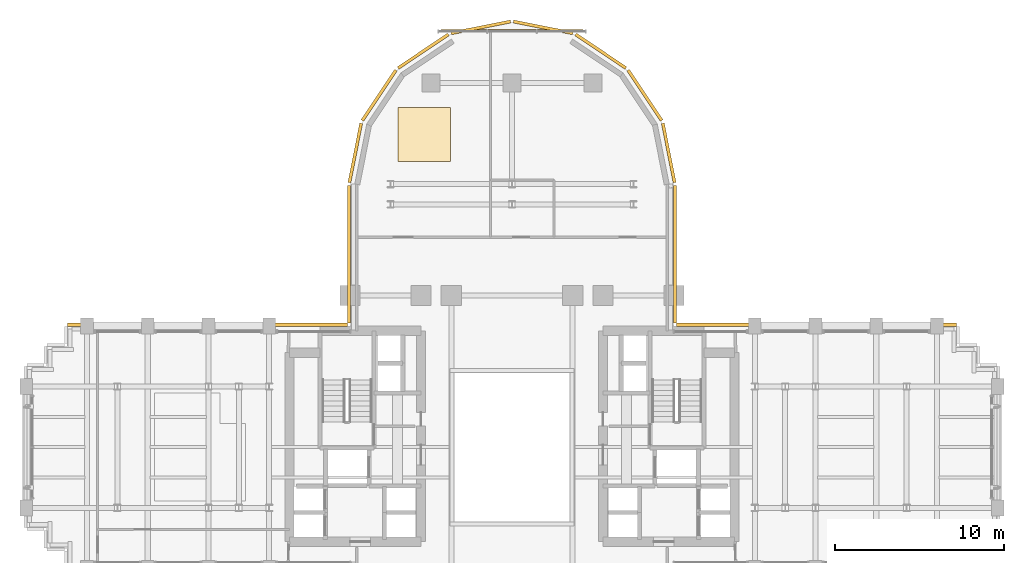
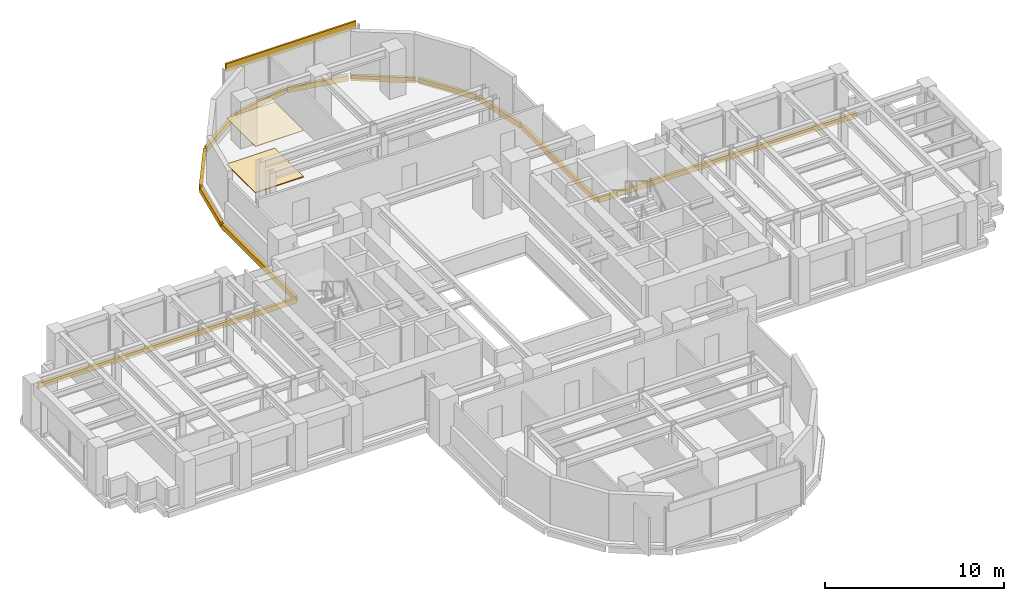
# One storey, part 16 of 16: 15 coverings.
"""IFC4 building model written with IfcOpenShell, lengths in metres."""

from ifc_helpers import new_model, si_unit, direction, frame, origin, origin_2d, place, context, subcontext, project, spatial, rectangle, extrude, source, transform, mapped, material, layer, layer_set, type_object, element, save


model = new_model("IFC4")

# Units and contexts
model_context = context("Model", 3, precision=1e-05, world=origin(), true_north=direction((0.0, 1.0)))
body_context = subcontext(model_context, "Body", "Model", "MODEL_VIEW")
ifc_project = project(units=[si_unit("LENGTHUNIT", "METRE"), si_unit("AREAUNIT", "SQUARE_METRE"), si_unit("VOLUMEUNIT", "CUBIC_METRE"), si_unit("PLANEANGLEUNIT", "RADIAN"), si_unit("MASSUNIT", "GRAM", prefix="KILO")], contexts=[model_context])

# Site, building, storey
site_placement = place(None, origin())
site = spatial("IfcSite", under=ifc_project, at=site_placement, CompositionType="ELEMENT")
building_placement = place(site_placement, origin())
building = spatial("IfcBuilding", under=site, at=building_placement, Name="Keilestroom Media Tower", CompositionType="ELEMENT")
storey_placement = place(building_placement, frame((0.0, 0.0, 71.39990234375)))
storey = spatial("IfcBuildingStorey", under=building, at=storey_placement, Name="L18", CompositionType="ELEMENT", Elevation=71.39990234375)

# Coverings
ifc_material_1 = material(Name="Precast concrete C40/50", Category="concrete")
ifc_layer_1 = layer(ifc_material_1, 0.1201171875)
ifc_layer_set_1 = layer_set([ifc_layer_1], Name="Precast concrete C40/50")
covering_type_1 = type_object("IfcCoveringType", Name="Exterior-Precast-Spandrel-Cladding-Panel-120", PredefinedType="CLADDING", material=ifc_layer_set_1)
shared_shape_1 = source(origin(), body_context, "Body", "SweptSolid", [
    extrude(rectangle(XDim=8.39990234375, YDim=0.1201171875, at=origin_2d()), origin(), (0.0, 0.0, 1.0), 0.52001953125),
])
covering_1_placement = place(storey_placement, frame((0.0, 24.719970703125, 2.690185546875), z_axis=(0.0, 0.0, 1.0), x_axis=(1.0, 0.0, 0.0)))
element("IfcCovering", 1, at=covering_1_placement, inside=storey, type_object=covering_type_1, Name="L18 Precast Spandrel Cladding N", PredefinedType="CLADDING", context=body_context, shape_type="MappedRepresentation", body=[
    mapped(shared_shape_1, transform((0.0, 0.0, 0.0), x_axis=(1.0, 0.0, 0.0), y_axis=(0.0, 1.0, 0.0), z_axis=(0.0, 0.0, 1.0), scale=1.0)),
])
shared_shape_2 = source(origin(), body_context, "Body", "SweptSolid", [
    extrude(rectangle(XDim=16.6201171875, YDim=0.179931640625, at=origin_2d()), origin(), (0.0, 0.0, 1.0), 0.360107421875),
])
for number, where, z_axis, x_axis, name in (
    (2, (-18.06005859375, 7.260009765625, -0.5400390625), (0.0, 0.0, 1.0), (1.0, 0.0, 0.0), "L18 Precast Slab-Edge Fascia Cornice 26"),
    (3, (18.06005859375, 7.260009765625, -0.5400390625), (0.0, 0.0, 1.0), (1.0, 0.0, 0.0), "L18 Precast Slab-Edge Fascia Cornice 37"),
):
    element("IfcCovering", number, at=place(storey_placement, frame(where, z_axis=z_axis, x_axis=x_axis)), inside=storey, type_object=covering_type_1, Name=name, PredefinedType="CLADDING", context=body_context, shape_type="MappedRepresentation", body=[
        mapped(shared_shape_2, transform((0.0, 0.0, 0.0), x_axis=(1.0, 0.0, 0.0), y_axis=(0.0, 1.0, 0.0), z_axis=(0.0, 0.0, 1.0), scale=1.0)),
    ])
shared_shape_3 = source(origin(), body_context, "Body", "SweptSolid", [
    extrude(rectangle(XDim=8.166015625, YDim=0.179931640625, at=origin_2d()), origin(), (0.0, 0.0, 1.0), 0.360107421875),
])
for number, where, z_axis, x_axis, name in (
    (4, (-9.659912109375, 11.43310546875, -0.5400390625), (0.0, 0.0, 1.0), (0.0, 1.0, 0.0), "L18 Precast Slab-Edge Fascia Cornice 27"),
    (5, (9.659912109375, 11.43310546875, -0.5400390625), (0.0, 0.0, 1.0), (0.0, -1.0, 0.0), "L18 Precast Slab-Edge Fascia Cornice 36"),
):
    element("IfcCovering", number, at=place(storey_placement, frame(where, z_axis=z_axis, x_axis=x_axis)), inside=storey, type_object=covering_type_1, Name=name, PredefinedType="CLADDING", context=body_context, shape_type="MappedRepresentation", body=[
        mapped(shared_shape_3, transform((0.0, 0.0, 0.0), x_axis=(1.0, 0.0, 0.0), y_axis=(0.0, 1.0, 0.0), z_axis=(0.0, 0.0, 1.0), scale=1.0)),
    ])
shared_shape_4 = source(origin(), body_context, "Body", "SweptSolid", [
    extrude(rectangle(XDim=3.58349609375, YDim=0.179931640625, at=origin_2d()), origin(), (0.0, 0.0, 1.0), 0.360107421875),
])
for number, where, z_axis, x_axis, name in (
    (6, (-9.29296875, 17.45166015625, -0.5400390625), (0.0, 0.0, 1.0), (0.195098880975, 0.980783577882, 0.0), "L18 Precast Slab-Edge Fascia Cornice 28"),
    (7, (9.29296875, 17.45166015625, -0.5400390625), (0.0, 0.0, 1.0), (0.195098880975, -0.980783577882, 0.0), "L18 Precast Slab-Edge Fascia Cornice 35"),
):
    element("IfcCovering", number, at=place(storey_placement, frame(where, z_axis=z_axis, x_axis=x_axis)), inside=storey, type_object=covering_type_1, Name=name, PredefinedType="CLADDING", context=body_context, shape_type="MappedRepresentation", body=[
        mapped(shared_shape_4, transform((0.0, 0.0, 0.0), x_axis=(1.0, 0.0, 0.0), y_axis=(0.0, 1.0, 0.0), z_axis=(0.0, 0.0, 1.0), scale=1.0)),
    ])
shared_shape_5 = source(origin(), body_context, "Body", "SweptSolid", [
    extrude(rectangle(XDim=3.589599609375, YDim=0.179931640625, at=origin_2d()), origin(), (0.0, 0.0, 1.0), 0.360107421875),
])
for number, where, z_axis, x_axis, name in (
    (8, (-7.878662109375, 20.8642578125, -0.5400390625), (0.0, 0.0, 1.0), (0.555574586577, 0.831466703332, 0.0), "L18 Precast Slab-Edge Fascia Cornice 29"),
    (9, (-5.264404296875, 23.478515625, -0.5400390625), (0.0, 0.0, 1.0), (0.831466703332, 0.555574586577, 0.0), "L18 Precast Slab-Edge Fascia Cornice 30"),
    (10, (-1.8486328125, 24.893310546875, -0.5400390625), (0.0, 0.0, 1.0), (0.980783577882, 0.195098880975, 0.0), "L18 Precast Slab-Edge Fascia Cornice 31"),
    (11, (1.8486328125, 24.893310546875, -0.5400390625), (0.0, 0.0, 1.0), (0.980783577882, -0.195098880975, 0.0), "L18 Precast Slab-Edge Fascia Cornice 32"),
    (12, (5.264404296875, 23.478515625, -0.5400390625), (0.0, 0.0, 1.0), (0.831466703332, -0.555574586577, 0.0), "L18 Precast Slab-Edge Fascia Cornice 33"),
    (13, (7.878662109375, 20.8642578125, -0.5400390625), (0.0, 0.0, 1.0), (0.555574586577, -0.831466703332, 0.0), "L18 Precast Slab-Edge Fascia Cornice 34"),
):
    element("IfcCovering", number, at=place(storey_placement, frame(where, z_axis=z_axis, x_axis=x_axis)), inside=storey, type_object=covering_type_1, Name=name, PredefinedType="CLADDING", context=body_context, shape_type="MappedRepresentation", body=[
        mapped(shared_shape_5, transform((0.0, 0.0, 0.0), x_axis=(1.0, 0.0, 0.0), y_axis=(0.0, 1.0, 0.0), z_axis=(0.0, 0.0, 1.0), scale=1.0)),
    ])
ifc_material_2 = material(Name="Mineral-Fibre Acoustic Ceiling Tile", Category="gypsum")
ifc_layer_2 = layer(ifc_material_2, 0.0400390625)
ifc_layer_set_2 = layer_set([ifc_layer_2], Name="Mineral-Fibre Acoustic Ceiling Tile")
covering_type_2 = type_object("IfcCoveringType", Name="Suspended-Acoustic-Ceiling-40", PredefinedType="CEILING", material=ifc_layer_set_2)
shared_shape_6 = source(origin(), body_context, "Body", "SweptSolid", [
    extrude(rectangle(XDim=3.10400390625, YDim=3.199951171875, at=origin_2d()), origin(), (0.0, 0.0, 1.0), 0.0400390625),
])
covering_2_placement = place(storey_placement, frame((-5.2099609375, 18.533935546875, 3.16015625), z_axis=(0.0, 0.0, 1.0), x_axis=(1.0, 0.0, 0.0)))
element("IfcCovering", 14, at=covering_2_placement, inside=storey, type_object=covering_type_2, Name="L18 Suspended Acoustic Ceiling 2", PredefinedType="CEILING", context=body_context, shape_type="MappedRepresentation", body=[
    mapped(shared_shape_6, transform((0.0, 0.0, 0.0), x_axis=(1.0, 0.0, 0.0), y_axis=(0.0, 1.0, 0.0), z_axis=(0.0, 0.0, 1.0), scale=1.0)),
])
ifc_material_3 = material(Name="Calcium-Sulphate Raised Access Floor", Category="concrete")
ifc_layer_3 = layer(ifc_material_3, 0.06005859375)
ifc_layer_set_3 = layer_set([ifc_layer_3], Name="Calcium-Sulphate Raised Access Floor")
covering_type_3 = type_object("IfcCoveringType", Name="Raised-Access-And-Acoustic-Flooring-60", PredefinedType="FLOORING", material=ifc_layer_set_3)
shared_shape_7 = source(origin(), body_context, "Body", "SweptSolid", [
    extrude(rectangle(XDim=3.10400390625, YDim=3.199951171875, at=origin_2d()), origin(), (0.0, 0.0, 1.0), 0.06005859375),
])
covering_3_placement = place(storey_placement, frame((-5.2099609375, 18.533935546875, 0.0), z_axis=(0.0, 0.0, 1.0), x_axis=(1.0, 0.0, 0.0)))
element("IfcCovering", 15, at=covering_3_placement, inside=storey, type_object=covering_type_3, Name="L18 Raised Access Flooring 2", PredefinedType="FLOORING", context=body_context, shape_type="MappedRepresentation", body=[
    mapped(shared_shape_7, transform((0.0, 0.0, 0.0), x_axis=(1.0, 0.0, 0.0), y_axis=(0.0, 1.0, 0.0), z_axis=(0.0, 0.0, 1.0), scale=1.0)),
])

save(model, "model.ifc")
